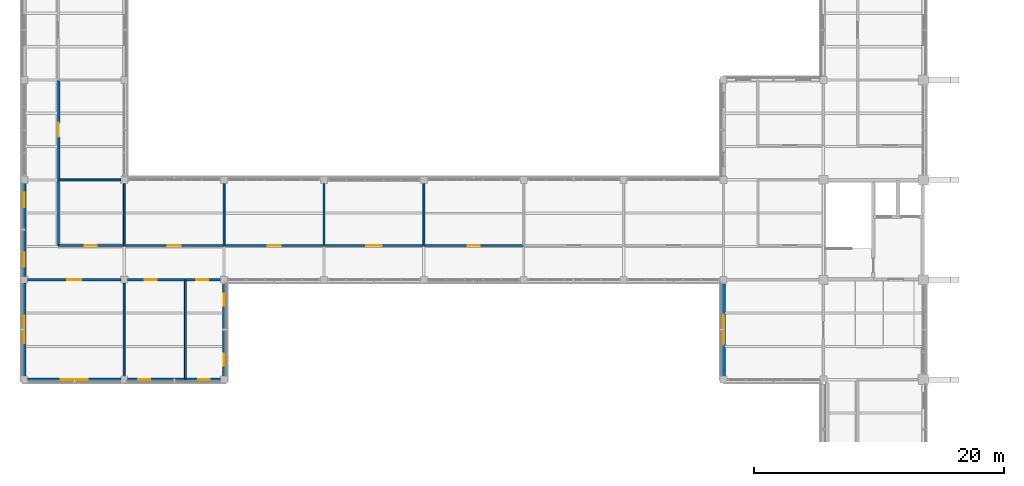
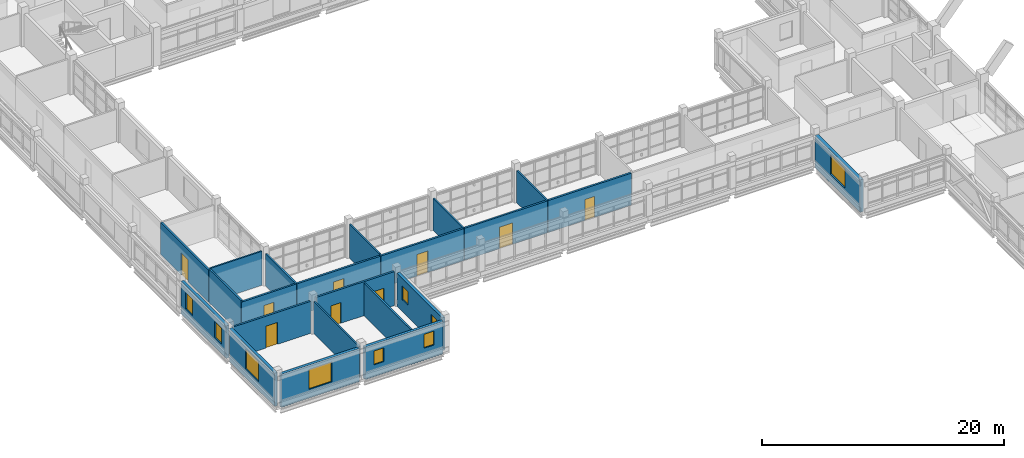
# One storey, part 64 of 92: 22 walls, 9 doors, 9 windows, 18 openings.
"""IFC4 building model written with IfcOpenShell, lengths in metres."""

from ifc_helpers import new_model, si_unit, derived_unit, direction, frame, frame_2d, origin, place, context, subcontext, project, spatial, rectangle, extrude, material, layer, layer_set, type_object, element, fill, save


model = new_model("IFC4")

# Units and contexts
model_context = context("Model", 3, precision=1e-05, world=origin(), true_north=direction((0.0, 1.0)))
body_context = subcontext(model_context, "Body", "Model", "MODEL_VIEW")
ifc_project = project(units=[si_unit("LENGTHUNIT", "METRE"), si_unit("AREAUNIT", "SQUARE_METRE"), si_unit("VOLUMEUNIT", "CUBIC_METRE"), si_unit("PLANEANGLEUNIT", "RADIAN"), si_unit("MASSUNIT", "GRAM", prefix="KILO"), derived_unit("THERMALTRANSMITTANCEUNIT", [(si_unit("MASSUNIT", "GRAM", prefix="KILO"), 1), (si_unit("TIMEUNIT", "SECOND"), -3), (si_unit("THERMODYNAMICTEMPERATUREUNIT", "KELVIN"), -1)])], contexts=[model_context])

# Site, building, storey
site_placement = place(None, origin())
site = spatial("IfcSite", under=ifc_project, at=site_placement, CompositionType="ELEMENT")
building_placement = place(site_placement, origin())
building = spatial("IfcBuilding", under=site, at=building_placement, Name="Veyamyaing Civic Hall", CompositionType="ELEMENT")
storey_placement = place(building_placement, frame((0.0, 0.0, 17.820068359375)))
storey = spatial("IfcBuildingStorey", under=building, at=storey_placement, Name="L04", CompositionType="ELEMENT", Elevation=17.820068359375)

# Wall, opening, window
ifc_material_1 = material(Name="Precast concrete C40/50", Category="concrete")
ifc_layer_1 = layer(ifc_material_1, 0.304931640625, Name="Precast concrete C40/50")
ifc_layer_set_1 = layer_set([ifc_layer_1], Name="Precast concrete C40/50")
wall_type_1 = type_object("IfcWallType", Name="WT-03", PredefinedType="SOLIDWALL", material=ifc_layer_set_1)
wall_1_placement = place(storey_placement, frame((56.0, 40.260009765625, 0.0), z_axis=(0.0, 0.0, 1.0), x_axis=(0.0, 1.0, 0.0)))
wall_1 = element("IfcWall", 1, at=wall_1_placement, inside=storey, type_object=wall_type_1, Name="Exterior facade wall WT-03 L04 W 8.6", PredefinedType="SOLIDWALL", context=body_context, shape_type="SweptSolid", body=[
    extrude(rectangle(XDim=7.47998046875, YDim=0.304931640625, at=frame_2d((3.739990234375, 0.0))), origin(), (0.0, 0.0, 1.0), 3.284912109375),
])
opening_1_placement = place(wall_1_placement, frame((2.5400390625, 0.0, 0.89990234375)))
opening_1 = element("IfcOpeningElement", 2, at=opening_1_placement, cuts=wall_1, Name="Opening W-07", PredefinedType="OPENING", context=body_context, shape_type="SweptSolid", body=[
    extrude(rectangle(XDim=2.39990234375, YDim=2.0, at=frame_2d((1.199951171875, 1.0))), frame((0.0, 0.162353515625, 0.0), z_axis=(0.0, -1.0, 0.0), x_axis=(1.0, 0.0, 0.0)), (0.0, 0.0, 1.0), 0.324951171875),
])
ifc_material_2 = material(Name="Low-E insulated glass", Category="glass")
window_type_1 = type_object("IfcWindowType", Name="W-07", PartitioningType="SINGLE_PANEL", PredefinedType="WINDOW", material=ifc_material_2)
window_1_placement = place(opening_1_placement, origin())
window_1 = element("IfcWindow", 3, at=window_1_placement, inside=storey, type_object=window_type_1, Name="Facade window W-07 L04 W 8.6", OverallHeight=2.0, OverallWidth=2.39990234375, PartitioningType="SINGLE_PANEL", PredefinedType="WINDOW", context=body_context, shape_type="SweptSolid", body=[
    extrude(rectangle(XDim=2.39990234375, YDim=2.0, at=frame_2d((1.199951171875, 1.0))), frame((0.0, 0.030029296875, 0.0), z_axis=(0.0, -1.0, 0.0), x_axis=(1.0, 0.0, 0.0)), (0.0, 0.0, 1.0), 0.06005859375),
])
fill(opening_1, window_1)

ifc_layer_2 = layer(ifc_material_1, 0.280029296875, Name="Precast concrete C40/50")
ifc_layer_set_2 = layer_set([ifc_layer_2], Name="Precast concrete C40/50")
wall_type_2 = type_object("IfcWallType", Name="WT-04", PredefinedType="SOLIDWALL", material=ifc_layer_set_2)
wall_2_placement = place(storey_placement, frame((0.260009765625, 40.0, 0.0), z_axis=(0.0, 0.0, 1.0), x_axis=(1.0, 0.0, 0.0)))
wall_2 = element("IfcWall", 4, at=wall_2_placement, inside=storey, type_object=wall_type_2, Name="Exterior facade wall WT-04 L04 S 1.6", PredefinedType="SOLIDWALL", context=body_context, shape_type="SweptSolid", body=[
    extrude(rectangle(XDim=7.47998046875, YDim=0.280029296875, at=frame_2d((3.739990234375, 0.0))), origin(), (0.0, 0.0, 1.0), 3.348876953125),
])
opening_2_placement = place(wall_2_placement, frame((2.639892578125, 0.0, 0.89990234375)))
opening_2 = element("IfcOpeningElement", 5, at=opening_2_placement, cuts=wall_2, Name="Opening W-08", PredefinedType="OPENING", context=body_context, shape_type="SweptSolid", body=[
    extrude(rectangle(XDim=2.199951171875, YDim=2.0, at=frame_2d((1.10009765625, 1.0))), frame((0.0, 0.14990234375, 0.0), z_axis=(0.0, -1.0, 0.0), x_axis=(1.0, 0.0, 0.0)), (0.0, 0.0, 1.0), 0.300048828125),
])
window_type_2 = type_object("IfcWindowType", Name="W-08", PartitioningType="SINGLE_PANEL", PredefinedType="WINDOW", material=ifc_material_2)
window_2_placement = place(opening_2_placement, origin())
window_2 = element("IfcWindow", 6, at=window_2_placement, inside=storey, type_object=window_type_2, Name="Facade window W-08 L04 S 1.6", OverallHeight=2.0, OverallWidth=2.199951171875, PartitioningType="SINGLE_PANEL", PredefinedType="WINDOW", context=body_context, shape_type="SweptSolid", body=[
    extrude(rectangle(XDim=2.199951171875, YDim=2.0, at=frame_2d((1.10009765625, 1.0))), frame((0.0, 0.030029296875, 0.0), z_axis=(0.0, -1.0, 0.0), x_axis=(1.0, 0.0, 0.0)), (0.0, 0.0, 1.0), 0.06005859375),
])
fill(opening_2, window_2)

wall_3_placement = place(storey_placement, frame((0.0, 40.260009765625, 0.0), z_axis=(0.0, 0.0, 1.0), x_axis=(0.0, 1.0, 0.0)))
wall_3 = element("IfcWall", 7, at=wall_3_placement, inside=storey, type_object=wall_type_2, Name="Exterior facade wall WT-04 L04 W 1.6", PredefinedType="SOLIDWALL", context=body_context, shape_type="SweptSolid", body=[
    extrude(rectangle(XDim=7.47998046875, YDim=0.280029296875, at=frame_2d((3.739990234375, 0.0))), origin(), (0.0, 0.0, 1.0), 3.348876953125),
])
opening_3_placement = place(wall_3_placement, frame((2.639892578125, 0.0, 0.89990234375)))
opening_3 = element("IfcOpeningElement", 8, at=opening_3_placement, cuts=wall_3, Name="Opening W-08", PredefinedType="OPENING", context=body_context, shape_type="SweptSolid", body=[
    extrude(rectangle(XDim=2.199951171875, YDim=2.0, at=frame_2d((1.10009765625, 1.0))), frame((0.0, 0.14990234375, 0.0), z_axis=(0.0, -1.0, 0.0), x_axis=(1.0, 0.0, 0.0)), (0.0, 0.0, 1.0), 0.300048828125),
])
window_3_placement = place(opening_3_placement, origin())
window_3 = element("IfcWindow", 9, at=window_3_placement, inside=storey, type_object=window_type_2, Name="Facade window W-08 L04 W 1.6", OverallHeight=2.0, OverallWidth=2.199951171875, PartitioningType="SINGLE_PANEL", PredefinedType="WINDOW", context=body_context, shape_type="SweptSolid", body=[
    extrude(rectangle(XDim=2.199951171875, YDim=2.0, at=frame_2d((1.10009765625, 1.0))), frame((0.0, 0.030029296875, 0.0), z_axis=(0.0, -1.0, 0.0), x_axis=(1.0, 0.0, 0.0)), (0.0, 0.0, 1.0), 0.06005859375),
])
fill(opening_3, window_3)

# Wall, openings, windows
wall_4_placement = place(storey_placement, frame((0.0, 48.260009765625, 0.0), z_axis=(0.0, 0.0, 1.0), x_axis=(0.0, 1.0, 0.0)))
wall_4 = element("IfcWall", 10, at=wall_4_placement, inside=storey, type_object=wall_type_2, Name="Exterior facade wall WT-04 L04 W 1.7", PredefinedType="SOLIDWALL", context=body_context, shape_type="SweptSolid", body=[
    extrude(rectangle(XDim=7.47998046875, YDim=0.280029296875, at=frame_2d((3.739990234375, 0.0))), origin(), (0.0, 0.0, 1.0), 3.288818359375),
])
opening_4_placement = place(wall_4_placement, frame((0.771484375, 0.0, 0.949951171875)))
opening_4 = element("IfcOpeningElement", 11, at=opening_4_placement, cuts=wall_4, Name="Opening W-32", PredefinedType="OPENING", context=body_context, shape_type="SweptSolid", body=[
    extrude(rectangle(XDim=1.14990234375, YDim=1.64990234375, at=frame_2d((0.574951171875, 0.824951171875))), frame((0.0, 0.14990234375, 0.0), z_axis=(0.0, -1.0, 0.0), x_axis=(1.0, 0.0, 0.0)), (0.0, 0.0, 1.0), 0.300048828125),
])
opening_5_placement = place(wall_4_placement, frame((5.55859375, 0.0, 0.949951171875)))
opening_5 = element("IfcOpeningElement", 12, at=opening_5_placement, cuts=wall_4, Name="Opening W-32", PredefinedType="OPENING", context=body_context, shape_type="SweptSolid", body=[
    extrude(rectangle(XDim=1.14990234375, YDim=1.64990234375, at=frame_2d((0.574951171875, 0.824951171875))), frame((0.0, 0.14990234375, 0.0), z_axis=(0.0, -1.0, 0.0), x_axis=(1.0, 0.0, 0.0)), (0.0, 0.0, 1.0), 0.300048828125),
])
window_type_3 = type_object("IfcWindowType", Name="W-32", PartitioningType="SINGLE_PANEL", PredefinedType="WINDOW", material=ifc_material_2)
window_4_placement = place(opening_4_placement, origin())
window_4 = element("IfcWindow", 13, at=window_4_placement, inside=storey, type_object=window_type_3, Name="Facade window W-32 L04 W 1.7.1", OverallHeight=1.64990234375, OverallWidth=1.14990234375, PartitioningType="SINGLE_PANEL", PredefinedType="WINDOW", context=body_context, shape_type="SweptSolid", body=[
    extrude(rectangle(XDim=1.14990234375, YDim=1.64990234375, at=frame_2d((0.574951171875, 0.824951171875))), frame((0.0, 0.030029296875, 0.0), z_axis=(0.0, -1.0, 0.0), x_axis=(1.0, 0.0, 0.0)), (0.0, 0.0, 1.0), 0.06005859375),
])
fill(opening_4, window_4)
window_5_placement = place(opening_5_placement, origin())
window_5 = element("IfcWindow", 14, at=window_5_placement, inside=storey, type_object=window_type_3, Name="Facade window W-32 L04 W 1.7.2", OverallHeight=1.64990234375, OverallWidth=1.14990234375, PartitioningType="SINGLE_PANEL", PredefinedType="WINDOW", context=body_context, shape_type="SweptSolid", body=[
    extrude(rectangle(XDim=1.14990234375, YDim=1.64990234375, at=frame_2d((0.574951171875, 0.824951171875))), frame((0.0, 0.030029296875, 0.0), z_axis=(0.0, -1.0, 0.0), x_axis=(1.0, 0.0, 0.0)), (0.0, 0.0, 1.0), 0.06005859375),
])
fill(opening_5, window_5)

wall_5_placement = place(storey_placement, frame((8.260009765625, 40.0, 0.0), z_axis=(0.0, 0.0, 1.0), x_axis=(1.0, 0.0, 0.0)))
wall_5 = element("IfcWall", 15, at=wall_5_placement, inside=storey, type_object=wall_type_2, Name="Exterior facade wall WT-04 L04 S 2.6", PredefinedType="SOLIDWALL", context=body_context, shape_type="SweptSolid", body=[
    extrude(rectangle(XDim=7.47998046875, YDim=0.280029296875, at=frame_2d((3.739990234375, 0.0))), origin(), (0.0, 0.0, 1.0), 3.288818359375),
])
opening_6_placement = place(wall_5_placement, frame((0.871337890625, 0.0, 1.199951171875)))
opening_6 = element("IfcOpeningElement", 16, at=opening_6_placement, cuts=wall_5, Name="Opening W-20", PredefinedType="OPENING", context=body_context, shape_type="SweptSolid", body=[
    extrude(rectangle(XDim=0.949951171875, YDim=1.39990234375, at=frame_2d((0.47509765625, 0.699951171875))), frame((0.0, 0.14990234375, 0.0), z_axis=(0.0, -1.0, 0.0), x_axis=(1.0, 0.0, 0.0)), (0.0, 0.0, 1.0), 0.300048828125),
])
opening_7_placement = place(wall_5_placement, frame((5.65869140625, 0.0, 1.199951171875)))
opening_7 = element("IfcOpeningElement", 17, at=opening_7_placement, cuts=wall_5, Name="Opening W-20", PredefinedType="OPENING", context=body_context, shape_type="SweptSolid", body=[
    extrude(rectangle(XDim=0.949951171875, YDim=1.39990234375, at=frame_2d((0.47509765625, 0.699951171875))), frame((0.0, 0.14990234375, 0.0), z_axis=(0.0, -1.0, 0.0), x_axis=(1.0, 0.0, 0.0)), (0.0, 0.0, 1.0), 0.300048828125),
])
window_type_4 = type_object("IfcWindowType", Name="W-20", PartitioningType="SINGLE_PANEL", PredefinedType="WINDOW", material=ifc_material_2)
window_6_placement = place(opening_6_placement, origin())
window_6 = element("IfcWindow", 18, at=window_6_placement, inside=storey, type_object=window_type_4, Name="Facade window W-20 L04 S 2.6.1", OverallHeight=1.39990234375, OverallWidth=0.949951171875, PartitioningType="SINGLE_PANEL", PredefinedType="WINDOW", context=body_context, shape_type="SweptSolid", body=[
    extrude(rectangle(XDim=0.949951171875, YDim=1.39990234375, at=frame_2d((0.47509765625, 0.699951171875))), frame((0.0, 0.030029296875, 0.0), z_axis=(0.0, -1.0, 0.0), x_axis=(1.0, 0.0, 0.0)), (0.0, 0.0, 1.0), 0.06005859375),
])
fill(opening_6, window_6)
window_7_placement = place(opening_7_placement, origin())
window_7 = element("IfcWindow", 19, at=window_7_placement, inside=storey, type_object=window_type_4, Name="Facade window W-20 L04 S 2.6.2", OverallHeight=1.39990234375, OverallWidth=0.949951171875, PartitioningType="SINGLE_PANEL", PredefinedType="WINDOW", context=body_context, shape_type="SweptSolid", body=[
    extrude(rectangle(XDim=0.949951171875, YDim=1.39990234375, at=frame_2d((0.47509765625, 0.699951171875))), frame((0.0, 0.030029296875, 0.0), z_axis=(0.0, -1.0, 0.0), x_axis=(1.0, 0.0, 0.0)), (0.0, 0.0, 1.0), 0.06005859375),
])
fill(opening_7, window_7)

wall_6_placement = place(storey_placement, frame((16.0, 40.260009765625, 0.0), z_axis=(0.0, 0.0, 1.0), x_axis=(0.0, 1.0, 0.0)))
wall_6 = element("IfcWall", 20, at=wall_6_placement, inside=storey, type_object=wall_type_2, Name="Exterior facade wall WT-04 L04 E 2.6", PredefinedType="SOLIDWALL", context=body_context, shape_type="SweptSolid", body=[
    extrude(rectangle(XDim=7.47998046875, YDim=0.280029296875, at=frame_2d((3.739990234375, 0.0))), origin(), (0.0, 0.0, 1.0), 3.35205078125),
])
opening_8_placement = place(wall_6_placement, frame((0.871337890625, 0.0, 1.199951171875)))
opening_8 = element("IfcOpeningElement", 21, at=opening_8_placement, cuts=wall_6, Name="Opening W-20", PredefinedType="OPENING", context=body_context, shape_type="SweptSolid", body=[
    extrude(rectangle(XDim=0.949951171875, YDim=1.39990234375, at=frame_2d((0.47509765625, 0.699951171875))), frame((0.0, 0.14990234375, 0.0), z_axis=(0.0, -1.0, 0.0), x_axis=(1.0, 0.0, 0.0)), (0.0, 0.0, 1.0), 0.300048828125),
])
opening_9_placement = place(wall_6_placement, frame((5.65869140625, 0.0, 1.199951171875)))
opening_9 = element("IfcOpeningElement", 22, at=opening_9_placement, cuts=wall_6, Name="Opening W-20", PredefinedType="OPENING", context=body_context, shape_type="SweptSolid", body=[
    extrude(rectangle(XDim=0.949951171875, YDim=1.39990234375, at=frame_2d((0.47509765625, 0.699951171875))), frame((0.0, 0.14990234375, 0.0), z_axis=(0.0, -1.0, 0.0), x_axis=(1.0, 0.0, 0.0)), (0.0, 0.0, 1.0), 0.300048828125),
])
window_8_placement = place(opening_8_placement, origin())
window_8 = element("IfcWindow", 23, at=window_8_placement, inside=storey, type_object=window_type_4, Name="Facade window W-20 L04 E 2.6.1", OverallHeight=1.39990234375, OverallWidth=0.949951171875, PartitioningType="SINGLE_PANEL", PredefinedType="WINDOW", context=body_context, shape_type="SweptSolid", body=[
    extrude(rectangle(XDim=0.949951171875, YDim=1.39990234375, at=frame_2d((0.47509765625, 0.699951171875))), frame((0.0, 0.030029296875, 0.0), z_axis=(0.0, -1.0, 0.0), x_axis=(1.0, 0.0, 0.0)), (0.0, 0.0, 1.0), 0.06005859375),
])
fill(opening_8, window_8)
window_9_placement = place(opening_9_placement, origin())
window_9 = element("IfcWindow", 24, at=window_9_placement, inside=storey, type_object=window_type_4, Name="Facade window W-20 L04 E 2.6.2", OverallHeight=1.39990234375, OverallWidth=0.949951171875, PartitioningType="SINGLE_PANEL", PredefinedType="WINDOW", context=body_context, shape_type="SweptSolid", body=[
    extrude(rectangle(XDim=0.949951171875, YDim=1.39990234375, at=frame_2d((0.47509765625, 0.699951171875))), frame((0.0, 0.030029296875, 0.0), z_axis=(0.0, -1.0, 0.0), x_axis=(1.0, 0.0, 0.0)), (0.0, 0.0, 1.0), 0.06005859375),
])
fill(opening_9, window_9)

# Wall, opening, door
ifc_material_3 = material(Name="Gypsum board on acoustic steel stud", Category="steel")
ifc_layer_3 = layer(ifc_material_3, 0.175048828125, Name="Gypsum board on acoustic steel stud")
ifc_layer_set_3 = layer_set([ifc_layer_3], Name="Gypsum board on acoustic steel stud")
wall_type_3 = type_object("IfcWallType", Name="WT-07", PredefinedType="PARTITIONING", material=ifc_layer_set_3)
wall_7_placement = place(storey_placement, frame((2.699951171875, 50.75, 0.0), z_axis=(0.0, 0.0, 1.0), x_axis=(1.0, 0.0, 0.0)))
wall_7 = element("IfcWall", 25, at=wall_7_placement, inside=storey, type_object=wall_type_3, Name="Corridor gallery partition WT-07 L04.1.1", PredefinedType="PARTITIONING", context=body_context, shape_type="SweptSolid", body=[
    extrude(rectangle(XDim=5.280029296875, YDim=0.175048828125, at=frame_2d((2.64013671875, 0.0))), origin(), (0.0, 0.0, 1.0), 3.238037109375),
])
opening_10_placement = place(wall_7_placement, frame((2.159912109375, 0.0, 0.0)))
opening_10 = element("IfcOpeningElement", 26, at=opening_10_placement, cuts=wall_7, Name="Opening D-25", PredefinedType="OPENING", context=body_context, shape_type="SweptSolid", body=[
    extrude(rectangle(XDim=0.9599609375, YDim=2.139892578125, at=frame_2d((0.47998046875, 1.06982421875))), frame((0.0, 0.097412109375, 0.0), z_axis=(0.0, -1.0, 0.0), x_axis=(1.0, 0.0, 0.0)), (0.0, 0.0, 1.0), 0.195068359375),
])
ifc_material_4 = material(Name="Teak-veneered acoustic timber", Category="wood")
door_type_1 = type_object("IfcDoorType", Name="D-25", OperationType="NOTDEFINED", PredefinedType="DOOR", material=ifc_material_4)
door_1_placement = place(opening_10_placement, origin())
door_1 = element("IfcDoor", 27, at=door_1_placement, inside=storey, type_object=door_type_1, Name="Gallery office door D-25 L04.1", OperationType="SINGLE_SWING_RIGHT", OverallHeight=2.139892578125, OverallWidth=0.9599609375, PredefinedType="DOOR", context=body_context, shape_type="SweptSolid", body=[
    extrude(rectangle(XDim=0.9599609375, YDim=2.139892578125, at=frame_2d((0.47998046875, 1.06982421875))), frame((0.0, 0.02490234375, 0.0), z_axis=(0.0, -1.0, 0.0), x_axis=(1.0, 0.0, 0.0)), (0.0, 0.0, 1.0), 0.050048828125),
])
fill(opening_10, door_1)

# Wall
wall_8_placement = place(storey_placement, frame((2.75, 50.699951171875, 0.0), z_axis=(0.0, 0.0, 1.0), x_axis=(0.0, 1.0, 0.0)))
element("IfcWall", 28, at=wall_8_placement, inside=storey, type_object=wall_type_3, Name="Corridor gallery partition WT-07 L04.1.2", PredefinedType="PARTITIONING", context=body_context, shape_type="SweptSolid", body=[
    extrude(rectangle(XDim=5.280029296875, YDim=0.175048828125, at=frame_2d((2.64013671875, 0.0))), origin(), (0.0, 0.0, 1.0), 3.385009765625),
])

# Wall, opening, door
wall_9_placement = place(storey_placement, frame((24.02001953125, 50.75, 0.0), z_axis=(0.0, 0.0, 1.0), x_axis=(1.0, 0.0, 0.0)))
wall_9 = element("IfcWall", 29, at=wall_9_placement, inside=storey, type_object=wall_type_3, Name="Corridor gallery partition WT-07 L04.13.1", PredefinedType="PARTITIONING", context=body_context, shape_type="SweptSolid", body=[
    extrude(rectangle(XDim=7.9599609375, YDim=0.175048828125, at=frame_2d((3.97998046875, 0.0))), origin(), (0.0, 0.0, 1.0), 3.23193359375),
])
opening_11_placement = place(wall_9_placement, frame((3.35498046875, 0.0, 0.0)))
opening_11 = element("IfcOpeningElement", 30, at=opening_11_placement, cuts=wall_9, Name="Opening D-29", PredefinedType="OPENING", context=body_context, shape_type="SweptSolid", body=[
    extrude(rectangle(XDim=1.25, YDim=2.179931640625, at=frame_2d((0.625, 1.08984375))), frame((0.0, 0.097412109375, 0.0), z_axis=(0.0, -1.0, 0.0), x_axis=(1.0, 0.0, 0.0)), (0.0, 0.0, 1.0), 0.195068359375),
])
door_type_2 = type_object("IfcDoorType", Name="D-29", OperationType="NOTDEFINED", PredefinedType="DOOR", material=ifc_material_4)
door_2_placement = place(opening_11_placement, origin())
door_2 = element("IfcDoor", 31, at=door_2_placement, inside=storey, type_object=door_type_2, Name="Gallery office door D-29 L04.13", OperationType="SINGLE_SWING_RIGHT", OverallHeight=2.179931640625, OverallWidth=1.25, PredefinedType="DOOR", context=body_context, shape_type="SweptSolid", body=[
    extrude(rectangle(XDim=1.25, YDim=2.179931640625, at=frame_2d((0.625, 1.08984375))), frame((0.0, 0.02490234375, 0.0), z_axis=(0.0, -1.0, 0.0), x_axis=(1.0, 0.0, 0.0)), (0.0, 0.0, 1.0), 0.050048828125),
])
fill(opening_11, door_2)

# Walls
ifc_material_5 = material(Name="Gypsum board on steel stud", Category="steel")
ifc_layer_4 = layer(ifc_material_5, 0.14990234375, Name="Gypsum board on steel stud")
ifc_layer_set_4 = layer_set([ifc_layer_4], Name="Gypsum board on steel stud")
wall_type_4 = type_object("IfcWallType", Name="WT-08", PredefinedType="PARTITIONING", material=ifc_layer_set_4)
wall_10_placement = place(storey_placement, frame((2.75, 56.0, 0.0), z_axis=(0.0, 0.0, 1.0), x_axis=(1.0, 0.0, 0.0)))
element("IfcWall", 32, at=wall_10_placement, inside=storey, type_object=wall_type_4, Name="Gallery office end partition WT-08 L04.1.1", PredefinedType="PARTITIONING", context=body_context, shape_type="SweptSolid", body=[
    extrude(rectangle(XDim=4.965087890625, YDim=0.14990234375, at=frame_2d((2.482421875, 0.0))), origin(), (0.0, 0.0, 1.0), 3.43701171875),
])
wall_11_placement = place(storey_placement, frame((8.0, 50.75, 0.0), z_axis=(0.0, 0.0, 1.0), x_axis=(0.0, 1.0, 0.0)))
element("IfcWall", 33, at=wall_11_placement, inside=storey, type_object=wall_type_4, Name="Gallery office end partition WT-08 L04.1.2", PredefinedType="PARTITIONING", context=body_context, shape_type="SweptSolid", body=[
    extrude(rectangle(XDim=4.965087890625, YDim=0.14990234375, at=frame_2d((2.482421875, 0.0))), origin(), (0.0, 0.0, 1.0), 3.238037109375),
])
wall_12_placement = place(storey_placement, frame((16.0, 50.75, 0.0), z_axis=(0.0, 0.0, 1.0), x_axis=(0.0, 1.0, 0.0)))
element("IfcWall", 34, at=wall_12_placement, inside=storey, type_object=wall_type_4, Name="Gallery office end partition WT-08 L04.8.2", PredefinedType="PARTITIONING", context=body_context, shape_type="SweptSolid", body=[
    extrude(rectangle(XDim=4.965087890625, YDim=0.14990234375, at=frame_2d((2.482421875, 0.0))), origin(), (0.0, 0.0, 1.0), 3.43701171875),
])
wall_13_placement = place(storey_placement, frame((24.0, 50.75, 0.0), z_axis=(0.0, 0.0, 1.0), x_axis=(0.0, 1.0, 0.0)))
element("IfcWall", 35, at=wall_13_placement, inside=storey, type_object=wall_type_4, Name="Gallery office end partition WT-08 L04.10.2", PredefinedType="PARTITIONING", context=body_context, shape_type="SweptSolid", body=[
    extrude(rectangle(XDim=4.965087890625, YDim=0.14990234375, at=frame_2d((2.482421875, 0.0))), origin(), (0.0, 0.0, 1.0), 3.23193359375),
])
wall_14_placement = place(storey_placement, frame((32.0, 50.75, 0.0), z_axis=(0.0, 0.0, 1.0), x_axis=(0.0, 1.0, 0.0)))
element("IfcWall", 36, at=wall_14_placement, inside=storey, type_object=wall_type_4, Name="Gallery office end partition WT-08 L04.13.2", PredefinedType="PARTITIONING", context=body_context, shape_type="SweptSolid", body=[
    extrude(rectangle(XDim=4.965087890625, YDim=0.14990234375, at=frame_2d((2.482421875, 0.0))), origin(), (0.0, 0.0, 1.0), 3.238037109375),
])
ifc_material_6 = material(Name="Cement-board wet-area partition")
ifc_layer_5 = layer(ifc_material_6, 0.159912109375, Name="Cement-board wet-area partition")
ifc_layer_set_5 = layer_set([ifc_layer_5], Name="Cement-board wet-area partition")
wall_type_5 = type_object("IfcWallType", Name="WT-14", PredefinedType="PARTITIONING", material=ifc_layer_set_5)
wall_15_placement = place(storey_placement, frame((8.0, 40.264892578125, 0.0), z_axis=(0.0, 0.0, 1.0), x_axis=(0.0, 1.0, 0.0)))
element("IfcWall", 37, at=wall_15_placement, inside=storey, type_object=wall_type_5, Name="Interior partition wall WT-14 L04.1", PredefinedType="PARTITIONING", context=body_context, shape_type="SweptSolid", body=[
    extrude(rectangle(XDim=7.47021484375, YDim=0.159912109375, at=frame_2d((3.735107421875, 0.0))), origin(), (0.0, 0.0, 1.0), 3.23193359375),
])
wall_16_placement = place(storey_placement, frame((12.89990234375, 40.02001953125, 0.0), z_axis=(0.0, 0.0, 1.0), x_axis=(0.0, 1.0, 0.0)))
element("IfcWall", 38, at=wall_16_placement, inside=storey, type_object=wall_type_5, Name="Sub-bay room partition WT-14 L04.1", PredefinedType="PARTITIONING", context=body_context, shape_type="SweptSolid", body=[
    extrude(rectangle(XDim=7.9599609375, YDim=0.159912109375, at=frame_2d((3.97998046875, 0.0))), origin(), (0.0, 0.0, 1.0), 3.281982421875),
])

# Wall, opening, door
ifc_material_7 = material(Name="Gypsum board on double acoustic stud")
ifc_layer_6 = layer(ifc_material_7, 0.18505859375, Name="Gypsum board on double acoustic stud")
ifc_layer_set_6 = layer_set([ifc_layer_6], Name="Gypsum board on double acoustic stud")
wall_type_6 = type_object("IfcWallType", Name="WT-19", PredefinedType="PARTITIONING", material=ifc_layer_set_6)
wall_17_placement = place(storey_placement, frame((2.75, 56.02001953125, 0.0), z_axis=(0.0, 0.0, 1.0), x_axis=(0.0, 1.0, 0.0)))
wall_17 = element("IfcWall", 39, at=wall_17_placement, inside=storey, type_object=wall_type_6, Name="Corridor gallery partition WT-19 L04.2.1", PredefinedType="PARTITIONING", context=body_context, shape_type="SweptSolid", body=[
    extrude(rectangle(XDim=7.9599609375, YDim=0.18505859375, at=frame_2d((3.97998046875, 0.0))), origin(), (0.0, 0.0, 1.0), 3.23193359375),
])
opening_12_placement = place(wall_17_placement, frame((3.419921875, 0.0, 0.0)))
opening_12 = element("IfcOpeningElement", 40, at=opening_12_placement, cuts=wall_17, Name="Opening D-26", PredefinedType="OPENING", context=body_context, shape_type="SweptSolid", body=[
    extrude(rectangle(XDim=1.1201171875, YDim=2.219970703125, at=frame_2d((0.56005859375, 1.10986328125))), frame((0.0, 0.1025390625, 0.0), z_axis=(0.0, -1.0, 0.0), x_axis=(1.0, 0.0, 0.0)), (0.0, 0.0, 1.0), 0.205078125),
])
door_type_3 = type_object("IfcDoorType", Name="D-26", OperationType="NOTDEFINED", PredefinedType="DOOR", material=ifc_material_4)
door_3_placement = place(opening_12_placement, frame((1.1201171875, 0.0, 0.0), z_axis=(0.0, 0.0, 1.0), x_axis=(-1.0, 0.0, 0.0)))
door_3 = element("IfcDoor", 41, at=door_3_placement, inside=storey, type_object=door_type_3, Name="Gallery office door D-26 L04.2", OperationType="SINGLE_SWING_LEFT", OverallHeight=2.219970703125, OverallWidth=1.1201171875, PredefinedType="DOOR", context=body_context, shape_type="SweptSolid", body=[
    extrude(rectangle(XDim=1.1201171875, YDim=2.219970703125, at=frame_2d((0.56005859375, 1.10986328125))), frame((0.0, 0.02490234375, 0.0), z_axis=(0.0, -1.0, 0.0), x_axis=(1.0, 0.0, 0.0)), (0.0, 0.0, 1.0), 0.050048828125),
])
fill(opening_12, door_3)

wall_18_placement = place(storey_placement, frame((8.02001953125, 50.75, 0.0), z_axis=(0.0, 0.0, 1.0), x_axis=(1.0, 0.0, 0.0)))
wall_18 = element("IfcWall", 42, at=wall_18_placement, inside=storey, type_object=wall_type_6, Name="Corridor gallery partition WT-19 L04.8.1", PredefinedType="PARTITIONING", context=body_context, shape_type="SweptSolid", body=[
    extrude(rectangle(XDim=7.9599609375, YDim=0.18505859375, at=frame_2d((3.97998046875, 0.0))), origin(), (0.0, 0.0, 1.0), 3.238037109375),
])
opening_13_placement = place(wall_18_placement, frame((3.469970703125, 0.0, 0.0)))
opening_13 = element("IfcOpeningElement", 43, at=opening_13_placement, cuts=wall_18, Name="Opening D-19", PredefinedType="OPENING", context=body_context, shape_type="SweptSolid", body=[
    extrude(rectangle(XDim=1.02001953125, YDim=2.199951171875, at=frame_2d((0.510009765625, 1.10009765625))), frame((0.0, 0.1025390625, 0.0), z_axis=(0.0, -1.0, 0.0), x_axis=(1.0, 0.0, 0.0)), (0.0, 0.0, 1.0), 0.205078125),
])
door_type_4 = type_object("IfcDoorType", Name="D-19", OperationType="NOTDEFINED", PredefinedType="DOOR", material=ifc_material_4)
door_4_placement = place(opening_13_placement, origin())
door_4 = element("IfcDoor", 44, at=door_4_placement, inside=storey, type_object=door_type_4, Name="Gallery office door D-19 L04.8", OperationType="SINGLE_SWING_LEFT", OverallHeight=2.199951171875, OverallWidth=1.02001953125, PredefinedType="DOOR", context=body_context, shape_type="SweptSolid", body=[
    extrude(rectangle(XDim=1.02001953125, YDim=2.199951171875, at=frame_2d((0.510009765625, 1.10009765625))), frame((0.0, 0.02490234375, 0.0), z_axis=(0.0, -1.0, 0.0), x_axis=(1.0, 0.0, 0.0)), (0.0, 0.0, 1.0), 0.050048828125),
])
fill(opening_13, door_4)

wall_19_placement = place(storey_placement, frame((16.02001953125, 50.75, 0.0), z_axis=(0.0, 0.0, 1.0), x_axis=(1.0, 0.0, 0.0)))
wall_19 = element("IfcWall", 45, at=wall_19_placement, inside=storey, type_object=wall_type_6, Name="Corridor gallery partition WT-19 L04.10.1", PredefinedType="PARTITIONING", context=body_context, shape_type="SweptSolid", body=[
    extrude(rectangle(XDim=7.9599609375, YDim=0.18505859375, at=frame_2d((3.97998046875, 0.0))), origin(), (0.0, 0.0, 1.0), 3.23193359375),
])
opening_14_placement = place(wall_19_placement, frame((3.4599609375, 0.0, 0.0)))
opening_14 = element("IfcOpeningElement", 46, at=opening_14_placement, cuts=wall_19, Name="Opening D-24", PredefinedType="OPENING", context=body_context, shape_type="SweptSolid", body=[
    extrude(rectangle(XDim=1.0400390625, YDim=2.179931640625, at=frame_2d((0.52001953125, 1.08984375))), frame((0.0, 0.1025390625, 0.0), z_axis=(0.0, -1.0, 0.0), x_axis=(1.0, 0.0, 0.0)), (0.0, 0.0, 1.0), 0.205078125),
])
door_type_5 = type_object("IfcDoorType", Name="D-24", OperationType="NOTDEFINED", PredefinedType="DOOR", material=ifc_material_4)
door_5_placement = place(opening_14_placement, origin())
door_5 = element("IfcDoor", 47, at=door_5_placement, inside=storey, type_object=door_type_5, Name="Gallery office door D-24 L04.10", OperationType="SINGLE_SWING_LEFT", OverallHeight=2.179931640625, OverallWidth=1.0400390625, PredefinedType="DOOR", context=body_context, shape_type="SweptSolid", body=[
    extrude(rectangle(XDim=1.0400390625, YDim=2.179931640625, at=frame_2d((0.52001953125, 1.08984375))), frame((0.0, 0.02490234375, 0.0), z_axis=(0.0, -1.0, 0.0), x_axis=(1.0, 0.0, 0.0)), (0.0, 0.0, 1.0), 0.050048828125),
])
fill(opening_14, door_5)

wall_20_placement = place(storey_placement, frame((32.02001953125, 50.75, 0.0), z_axis=(0.0, 0.0, 1.0), x_axis=(1.0, 0.0, 0.0)))
wall_20 = element("IfcWall", 48, at=wall_20_placement, inside=storey, type_object=wall_type_6, Name="Corridor gallery partition WT-19 L04.14.1", PredefinedType="PARTITIONING", context=body_context, shape_type="SweptSolid", body=[
    extrude(rectangle(XDim=7.9599609375, YDim=0.18505859375, at=frame_2d((3.97998046875, 0.0))), origin(), (0.0, 0.0, 1.0), 3.238037109375),
])
opening_15_placement = place(wall_20_placement, frame((3.510009765625, 0.0, 0.0)))
opening_15 = element("IfcOpeningElement", 49, at=opening_15_placement, cuts=wall_20, Name="Opening D-30", PredefinedType="OPENING", context=body_context, shape_type="SweptSolid", body=[
    extrude(rectangle(XDim=0.93994140625, YDim=2.1201171875, at=frame_2d((0.469970703125, 1.06005859375))), frame((0.0, 0.1025390625, 0.0), z_axis=(0.0, -1.0, 0.0), x_axis=(1.0, 0.0, 0.0)), (0.0, 0.0, 1.0), 0.205078125),
])
door_type_6 = type_object("IfcDoorType", Name="D-30", OperationType="NOTDEFINED", PredefinedType="DOOR", material=ifc_material_4)
door_6_placement = place(opening_15_placement, origin())
door_6 = element("IfcDoor", 50, at=door_6_placement, inside=storey, type_object=door_type_6, Name="Gallery office door D-30 L04.14", OperationType="SINGLE_SWING_LEFT", OverallHeight=2.1201171875, OverallWidth=0.93994140625, PredefinedType="DOOR", context=body_context, shape_type="SweptSolid", body=[
    extrude(rectangle(XDim=0.93994140625, YDim=2.1201171875, at=frame_2d((0.469970703125, 1.06005859375))), frame((0.0, 0.02490234375, 0.0), z_axis=(0.0, -1.0, 0.0), x_axis=(1.0, 0.0, 0.0)), (0.0, 0.0, 1.0), 0.050048828125),
])
fill(opening_15, door_6)

wall_21_placement = place(storey_placement, frame((0.264892578125, 48.0, 0.0), z_axis=(0.0, 0.0, 1.0), x_axis=(1.0, 0.0, 0.0)))
wall_21 = element("IfcWall", 51, at=wall_21_placement, inside=storey, type_object=wall_type_6, Name="Interior partition wall WT-19 L04.2", PredefinedType="PARTITIONING", context=body_context, shape_type="SweptSolid", body=[
    extrude(rectangle(XDim=7.47021484375, YDim=0.18505859375, at=frame_2d((3.735107421875, 0.0))), origin(), (0.0, 0.0, 1.0), 3.225830078125),
])
opening_16_placement = place(wall_21_placement, frame((3.175048828125, 0.0, 0.0)))
opening_16 = element("IfcOpeningElement", 52, at=opening_16_placement, cuts=wall_21, Name="Opening D-26", PredefinedType="OPENING", context=body_context, shape_type="SweptSolid", body=[
    extrude(rectangle(XDim=1.1201171875, YDim=2.219970703125, at=frame_2d((0.56005859375, 1.10986328125))), frame((0.0, 0.1025390625, 0.0), z_axis=(0.0, -1.0, 0.0), x_axis=(1.0, 0.0, 0.0)), (0.0, 0.0, 1.0), 0.205078125),
])
door_7_placement = place(opening_16_placement, frame((1.1201171875, 0.0, 0.0), z_axis=(0.0, 0.0, 1.0), x_axis=(-1.0, 0.0, 0.0)))
door_7 = element("IfcDoor", 53, at=door_7_placement, inside=storey, type_object=door_type_3, Name="Interior door D-26 L04.2", OperationType="SINGLE_SWING_RIGHT", OverallHeight=2.219970703125, OverallWidth=1.1201171875, PredefinedType="DOOR", context=body_context, shape_type="SweptSolid", body=[
    extrude(rectangle(XDim=1.1201171875, YDim=2.219970703125, at=frame_2d((0.56005859375, 1.10986328125))), frame((0.0, 0.02490234375, 0.0), z_axis=(0.0, -1.0, 0.0), x_axis=(1.0, 0.0, 0.0)), (0.0, 0.0, 1.0), 0.050048828125),
])
fill(opening_16, door_7)

# Wall, openings, doors
wall_22_placement = place(storey_placement, frame((8.264892578125, 48.0, 0.0), z_axis=(0.0, 0.0, 1.0), x_axis=(1.0, 0.0, 0.0)))
wall_22 = element("IfcWall", 54, at=wall_22_placement, inside=storey, type_object=wall_type_6, Name="Interior partition wall WT-19 L04.4", PredefinedType="PARTITIONING", context=body_context, shape_type="SweptSolid", body=[
    extrude(rectangle(XDim=7.47021484375, YDim=0.18505859375, at=frame_2d((3.735107421875, 0.0))), origin(), (0.0, 0.0, 1.0), 3.43701171875),
])
opening_17_placement = place(wall_22_placement, frame((1.392578125, 0.0, 0.0)))
opening_17 = element("IfcOpeningElement", 55, at=opening_17_placement, cuts=wall_22, Name="Opening D-15", PredefinedType="OPENING", context=body_context, shape_type="SweptSolid", body=[
    extrude(rectangle(XDim=0.949951171875, YDim=2.10009765625, at=frame_2d((0.47509765625, 1.050048828125))), frame((0.0, 0.1025390625, 0.0), z_axis=(0.0, -1.0, 0.0), x_axis=(1.0, 0.0, 0.0)), (0.0, 0.0, 1.0), 0.205078125),
])
opening_18_placement = place(wall_22_placement, frame((5.5009765625, 0.0, 0.0)))
opening_18 = element("IfcOpeningElement", 56, at=opening_18_placement, cuts=wall_22, Name="Opening D-15", PredefinedType="OPENING", context=body_context, shape_type="SweptSolid", body=[
    extrude(rectangle(XDim=0.949951171875, YDim=2.10009765625, at=frame_2d((0.47509765625, 1.050048828125))), frame((0.0, 0.1025390625, 0.0), z_axis=(0.0, -1.0, 0.0), x_axis=(1.0, 0.0, 0.0)), (0.0, 0.0, 1.0), 0.205078125),
])
door_type_7 = type_object("IfcDoorType", Name="D-15", OperationType="NOTDEFINED", PredefinedType="DOOR", material=ifc_material_4)
door_8_placement = place(opening_17_placement, frame((0.949951171875, 0.0, 0.0), z_axis=(0.0, 0.0, 1.0), x_axis=(-1.0, 0.0, 0.0)))
door_8 = element("IfcDoor", 57, at=door_8_placement, inside=storey, type_object=door_type_7, Name="Interior room door D-15 L04.4.1", OperationType="SINGLE_SWING_RIGHT", OverallHeight=2.10009765625, OverallWidth=0.949951171875, PredefinedType="DOOR", context=body_context, shape_type="SweptSolid", body=[
    extrude(rectangle(XDim=0.949951171875, YDim=2.10009765625, at=frame_2d((0.47509765625, 1.050048828125))), frame((0.0, 0.02490234375, 0.0), z_axis=(0.0, -1.0, 0.0), x_axis=(1.0, 0.0, 0.0)), (0.0, 0.0, 1.0), 0.050048828125),
])
fill(opening_17, door_8)
door_9_placement = place(opening_18_placement, frame((0.949951171875, 0.0, 0.0), z_axis=(0.0, 0.0, 1.0), x_axis=(-1.0, 0.0, 0.0)))
door_9 = element("IfcDoor", 58, at=door_9_placement, inside=storey, type_object=door_type_7, Name="Interior room door D-15 L04.4.2", OperationType="SINGLE_SWING_LEFT", OverallHeight=2.10009765625, OverallWidth=0.949951171875, PredefinedType="DOOR", context=body_context, shape_type="SweptSolid", body=[
    extrude(rectangle(XDim=0.949951171875, YDim=2.10009765625, at=frame_2d((0.47509765625, 1.050048828125))), frame((0.0, 0.02490234375, 0.0), z_axis=(0.0, -1.0, 0.0), x_axis=(1.0, 0.0, 0.0)), (0.0, 0.0, 1.0), 0.050048828125),
])
fill(opening_18, door_9)

save(model, "model.ifc")
